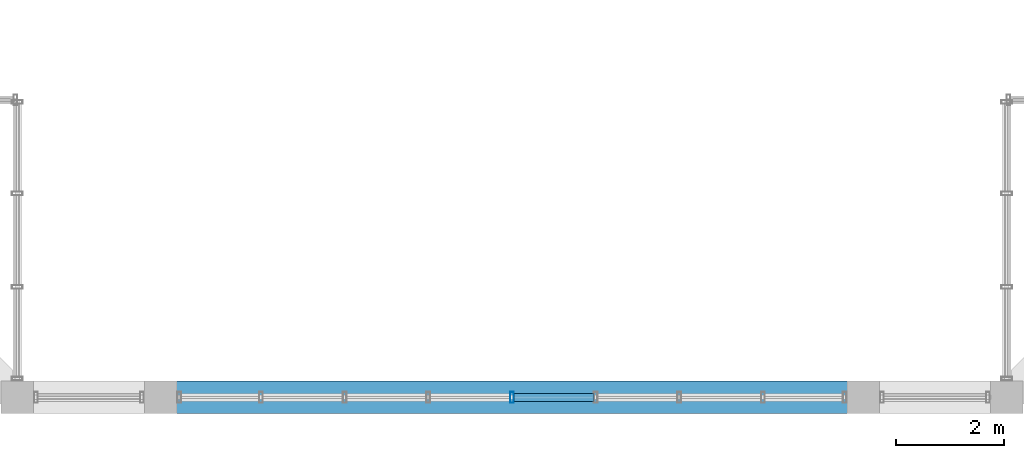
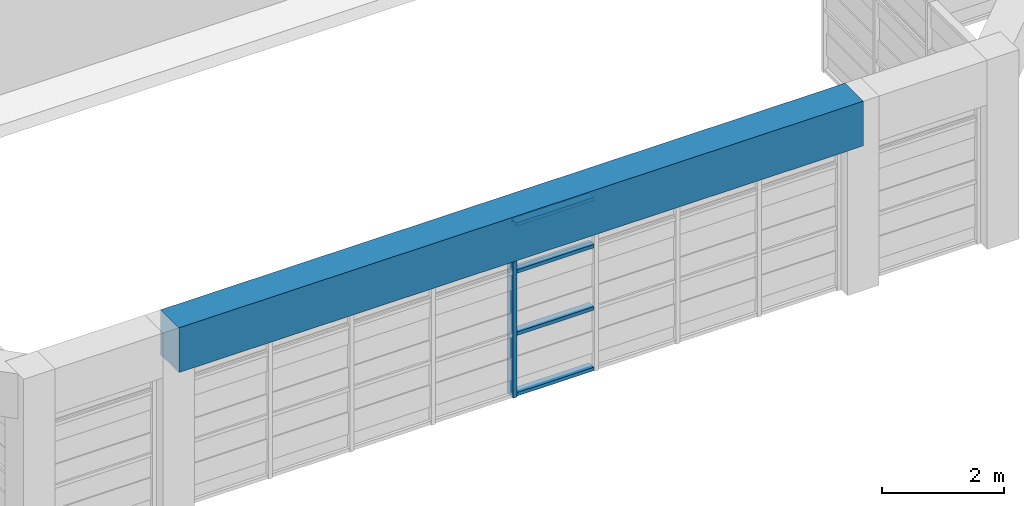
# One storey, part 3 of 27: 5 members, 1 beam, 1 element without a shape of its own.
"""IFC4 building model written with IfcOpenShell, lengths in metres."""

from ifc_helpers import new_model, si_unit, direction, frame, origin, origin_2d, place, context, subcontext, project, spatial, rectangle, hollow_rectangle, extrude, source, transform, mapped, material, layer, layer_set, material_profile, profile_set, type_object, element, aggregate, save


model = new_model("IFC4")

# Units and contexts
model_context = context("Model", 3, precision=1e-05, world=origin(), true_north=direction((0.0, 1.0)))
body_context = subcontext(model_context, "Body", "Model", "MODEL_VIEW")
ifc_project = project(units=[si_unit("LENGTHUNIT", "METRE"), si_unit("AREAUNIT", "SQUARE_METRE"), si_unit("VOLUMEUNIT", "CUBIC_METRE"), si_unit("PLANEANGLEUNIT", "RADIAN"), si_unit("MASSUNIT", "GRAM", prefix="KILO")], contexts=[model_context])

# Site, building, storey
site_placement = place(None, origin())
site = spatial("IfcSite", under=ifc_project, at=site_placement, CompositionType="ELEMENT")
building_placement = place(site_placement, origin())
building = spatial("IfcBuilding", under=site, at=building_placement, Name="Saelheon Loggia Tower", CompositionType="ELEMENT")
storey_placement = place(building_placement, frame((0.0, 0.0, 263.60009765625)))
storey = spatial("IfcBuildingStorey", under=building, at=storey_placement, Name="CR4", CompositionType="ELEMENT", Elevation=263.60009765625)

# Beam
ifc_material_1 = material(Name="Precast Concrete C45/55", Category="concrete")
ifc_material_profile_1 = material_profile(ifc_material_1, rectangle(XDim=0.60009765625, YDim=0.89990234375, at=origin_2d()), Name="RC-600x900")
ifc_profile_set_1 = profile_set([ifc_material_profile_1], Name="Precast Concrete C45/55")
beam_type = type_object("IfcBeamType", Name="CrownFrame_Ring_RC600x900", PredefinedType="BEAM", material=ifc_profile_set_1)
shared_shape_1 = source(origin(), body_context, "Body", "SweptSolid", [
    extrude(rectangle(XDim=0.60009765625, YDim=0.89990234375, at=origin_2d()), origin(), (0.0, 0.0, 1.0), 13.0),
])
beam_placement = place(storey_placement, frame((31.5, 6.35009765625, 3.349853515625), z_axis=(1.0, 0.0, 0.0), x_axis=(0.0, 1.0, 0.0)))
element("IfcBeam", 1, at=beam_placement, inside=storey, type_object=beam_type, Name="CR4 CROWN FRAME Ring Beam 02", PredefinedType="BEAM", context=body_context, shape_type="MappedRepresentation", body=[
    mapped(shared_shape_1, transform((0.0, 0.0, 0.0), scale=1.0)),
])

# Curtain wall, members
ifc_material_2 = material(Name="Bronze-Anodised Aluminium and Fritted Ceramic Screen", Category="aluminium")
ifc_layer = layer(ifc_material_2, 0.219970703125)
ifc_layer_set = layer_set([ifc_layer], Name="Bronze-Anodised Aluminium and Fritted Ceramic Screen")
curtain_wall_type = type_object("IfcCurtainWallType", Name="CW_CrownScreen", PredefinedType="NOTDEFINED", material=ifc_layer_set)
curtain_wall_placement = place(storey_placement, origin())
curtain_wall = element("IfcCurtainWall", 2, at=curtain_wall_placement, inside=storey, type_object=curtain_wall_type, Name="CR4 Crown Screen Curtain Wall 0-2", PredefinedType="NOTDEFINED")
ifc_material_3 = material(Name="Bronze-Anodised Aluminium 6063-T6", Category="aluminium")
ifc_material_profile_2 = material_profile(ifc_material_3, hollow_rectangle(XDim=0.070068359375, YDim=0.199951171875, WallThickness=0.0048828125, at=origin_2d()), Name="RHS-200x70x5")
ifc_profile_set_2 = profile_set([ifc_material_profile_2], Name="Bronze-Anodised Aluminium 6063-T6")
member_type_1 = type_object("IfcMemberType", Name="CW_CrownScreen_Mullion", PredefinedType="MULLION", material=ifc_profile_set_2)
shared_shape_2 = source(origin(), body_context, "Body", "SweptSolid", [
    extrude(hollow_rectangle(XDim=0.070068359375, YDim=0.199951171875, WallThickness=0.0048828125, at=origin_2d()), origin(), (0.0, 0.0, 1.0), 3.47998046875),
])
member_1_placement = place(storey_placement, frame((38.0, 6.35009765625, 0.0), z_axis=(0.0, 0.0, 1.0), x_axis=(1.0, 0.0, 0.0)))
member_1 = element("IfcMember", 3, at=member_1_placement, type_object=member_type_1, Name="CW6 mullion 5", PredefinedType="MULLION", context=body_context, shape_type="MappedRepresentation", body=[
    mapped(shared_shape_2, transform((0.0, 0.0, 0.0), scale=1.0)),
])
ifc_material_profile_3 = material_profile(ifc_material_3, hollow_rectangle(XDim=0.070068359375, YDim=0.14990234375, WallThickness=0.0048828125, at=origin_2d()), Name="RHS-150x70x5")
ifc_profile_set_3 = profile_set([ifc_material_profile_3], Name="Bronze-Anodised Aluminium 6063-T6")
member_type_2 = type_object("IfcMemberType", Name="CW_CrownScreen_Transom", PredefinedType="USERDEFINED", material=ifc_profile_set_3)
shared_shape_3 = source(origin(), body_context, "Body", "SweptSolid", [
    extrude(hollow_rectangle(XDim=0.070068359375, YDim=0.14990234375, WallThickness=0.0048828125, at=origin_2d()), origin(), (0.0, 0.0, 1.0), 1.4775390625),
])
member_2_placement = place(storey_placement, frame((38.034912109375, 6.35009765625, 0.034912109375), z_axis=(1.0, 0.0, 0.0), x_axis=(0.0, 0.0, 1.0)))
member_2 = element("IfcMember", 4, at=member_2_placement, type_object=member_type_2, Name="CW6 transom 5.1", ObjectType="TRANSOM", PredefinedType="USERDEFINED", context=body_context, shape_type="MappedRepresentation", body=[
    mapped(shared_shape_3, transform((0.0, 0.0, 0.0), scale=1.0)),
])
member_3_placement = place(storey_placement, frame((38.034912109375, 6.35009765625, 1.25), z_axis=(1.0, 0.0, 0.0), x_axis=(0.0, 0.0, 1.0)))
member_3 = element("IfcMember", 5, at=member_3_placement, type_object=member_type_2, Name="CW6 transom 5.2", ObjectType="TRANSOM", PredefinedType="USERDEFINED", context=body_context, shape_type="MappedRepresentation", body=[
    mapped(shared_shape_3, transform((0.0, 0.0, 0.0), scale=1.0)),
])
member_4_placement = place(storey_placement, frame((38.034912109375, 6.35009765625, 2.5), z_axis=(1.0, 0.0, 0.0), x_axis=(0.0, 0.0, 1.0)))
member_4 = element("IfcMember", 6, at=member_4_placement, type_object=member_type_2, Name="CW6 transom 5.3", ObjectType="TRANSOM", PredefinedType="USERDEFINED", context=body_context, shape_type="MappedRepresentation", body=[
    mapped(shared_shape_3, transform((0.0, 0.0, 0.0), scale=1.0)),
])
member_5_placement = place(storey_placement, frame((38.034912109375, 6.35009765625, 3.44482421875), z_axis=(1.0, 0.0, 0.0), x_axis=(0.0, 0.0, 1.0)))
member_5 = element("IfcMember", 7, at=member_5_placement, type_object=member_type_2, Name="CW6 transom 5.4", ObjectType="TRANSOM", PredefinedType="USERDEFINED", context=body_context, shape_type="MappedRepresentation", body=[
    mapped(shared_shape_3, transform((0.0, 0.0, 0.0), scale=1.0)),
])
aggregate(curtain_wall, [member_1, member_2, member_3, member_4, member_5])

save(model, "model.ifc")
